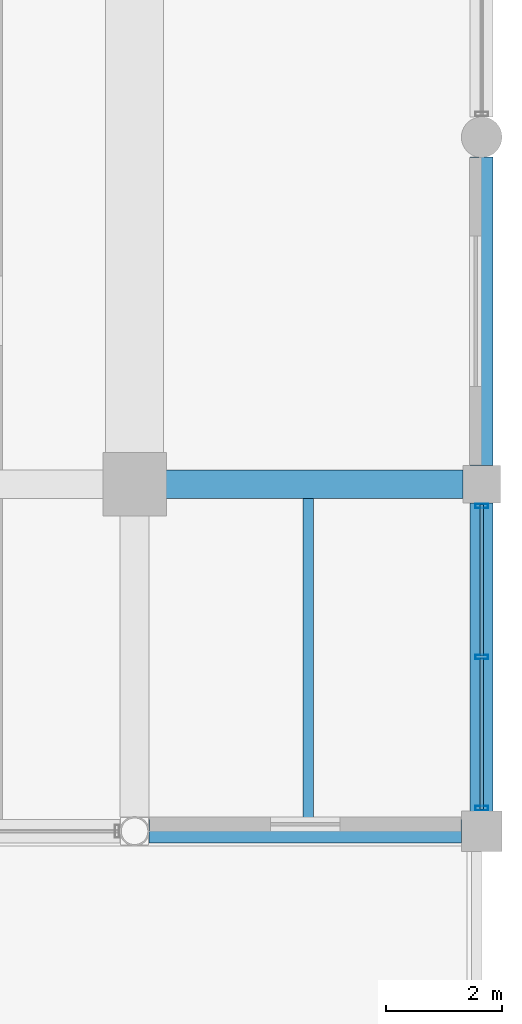
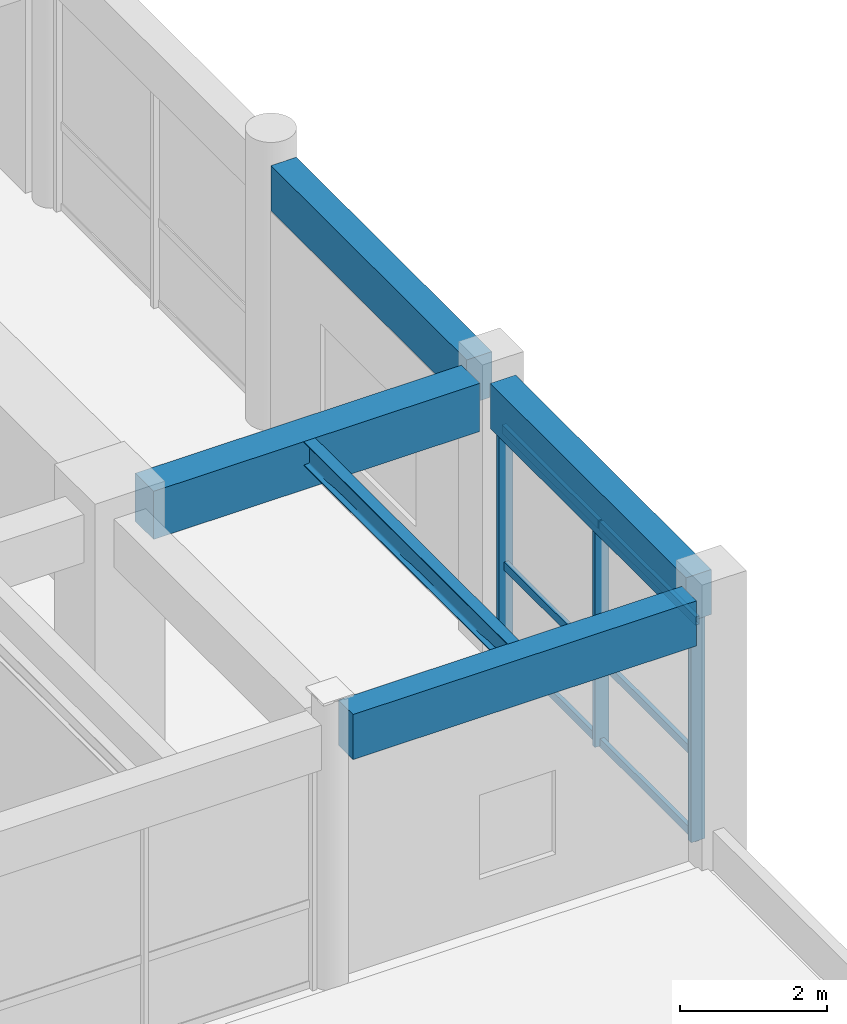
# One storey, part 69 of 123: 9 members, 5 beams, 1 element without a shape of its own.
"""IFC4 building model written with IfcOpenShell, lengths in metres."""

import ifcopenshell
import ifcopenshell.guid

model = None  # the IFC model being written
_history = None  # IfcOwnerHistory: only IFC2X3 demands one
_inside = {}  # id of a spatial element -> (the spatial element, [elements in it])
_under = {}  # id of a project, library or spatial element -> (it, [spatial elements below it])
_declared = {}  # id of a project -> (the project, [libraries it declares])
_typed = {}  # id of a type object -> (the type object, [elements of that type])
_made_of = {}  # id of a material, layer set ... -> (it, [elements and type objects made of it])


def new_model(schema):
    """Start an empty IFC model of exactly this schema.

    Asked for "IFC4X3", IfcOpenShell would pick the latest addendum, in which some entities
    have other attributes; the version numbers below select the first issue.
    IFC2X3 requires an IfcOwnerHistory on every rooted entity: one is made here for all.
    """
    global model, _history
    if schema == "IFC4X3":
        model = ifcopenshell.file(schema_version=(4, 3, 0, 0))
    else:
        model = ifcopenshell.file(schema=schema)
    _inside.clear()
    _under.clear()
    _declared.clear()
    _typed.clear()
    _made_of.clear()
    _history = None
    if model.schema == "IFC2X3":
        org = make("IfcOrganization", Name="unknown")
        user = make(
            "IfcPersonAndOrganization",
            ThePerson=make("IfcPerson", FamilyName="unknown"),
            TheOrganization=org,
        )
        app = make(
            "IfcApplication",
            ApplicationDeveloper=org,
            Version="unknown",
            ApplicationFullName="unknown",
            ApplicationIdentifier="unknown",
        )
        _history = make(
            "IfcOwnerHistory",
            OwningUser=user,
            OwningApplication=app,
            ChangeAction="ADDED",
            CreationDate=0,
        )
    return model


def make(cls, **values):
    """One entity of the class cls with the attributes given. An attribute that is None is left unset."""
    return model.create_entity(
        cls, **{name: value for name, value in values.items() if value is not None}
    )


def rooted(cls, **values):
    """An entity with a GlobalId (a new one), such as an element, a storey or a relation."""
    return make(cls, GlobalId=ifcopenshell.guid.new(), OwnerHistory=_history, **values)


def si_unit(unit_type, name, prefix=None):
    """IfcSIUnit, for example si_unit("LENGTHUNIT", "METRE", prefix="MILLI")."""
    return make("IfcSIUnit", UnitType=unit_type, Prefix=prefix, Name=name)


def assignment(units):
    """IfcUnitAssignment: the units of a project."""
    return None if units is None else make("IfcUnitAssignment", Units=units)


def point(xyz):
    """IfcCartesianPoint."""
    return None if xyz is None else make("IfcCartesianPoint", Coordinates=xyz)


def direction(xyz):
    """IfcDirection."""
    return None if xyz is None else make("IfcDirection", DirectionRatios=xyz)


def frame(location, z_axis=None, x_axis=None):
    """IfcAxis2Placement3D, a coordinate frame: its origin and axes. An axis left out is left unset."""
    return make(
        "IfcAxis2Placement3D",
        Location=point(location),
        Axis=direction(z_axis),
        RefDirection=direction(x_axis),
    )


def frame_2d(location, x_axis=None):
    """IfcAxis2Placement2D, a coordinate frame in the plane: its origin and x axis."""
    return make(
        "IfcAxis2Placement2D", Location=point(location), RefDirection=direction(x_axis)
    )


def origin():
    """The frame at (0, 0, 0) with its axes left unset."""
    return frame((0.0, 0.0, 0.0))


def origin_2d():
    """The frame at (0, 0) in the plane with its x axis left unset."""
    return frame_2d((0.0, 0.0))


def place(relative_to, where):
    """IfcLocalPlacement: puts the frame where relative to a parent placement (None: the world)."""
    return make(
        "IfcLocalPlacement", PlacementRelTo=relative_to, RelativePlacement=where
    )


def context(
    kind, dimensions, precision=None, world=None, true_north=None, identifier=None
):
    """IfcGeometricRepresentationContext, for example the 3D "Model" context."""
    return make(
        "IfcGeometricRepresentationContext",
        ContextIdentifier=identifier,
        ContextType=kind,
        CoordinateSpaceDimension=dimensions,
        Precision=precision,
        WorldCoordinateSystem=world,
        TrueNorth=true_north,
    )


def subcontext(parent, identifier, kind, view, scale=None):
    """IfcGeometricRepresentationSubContext, for example "Body" below "Model"."""
    return make(
        "IfcGeometricRepresentationSubContext",
        ContextIdentifier=identifier,
        ContextType=kind,
        ParentContext=parent,
        TargetScale=scale,
        TargetView=view,
    )


def project(units=None, contexts=None):
    """IfcProject with its units and contexts."""
    return rooted(
        "IfcProject",
        Name="project",
        RepresentationContexts=contexts,
        UnitsInContext=assignment(units),
    )


def spatial(cls, under=None, at=None, **own):
    """A site, building, storey or space (cls), placed at a placement, below another one or the project."""
    s = rooted(cls, ObjectPlacement=at, **own)
    if under is not None:
        _under.setdefault(under.id(), (under, []))[1].append(s)
    return s


def profile(cls, at=None, kind="AREA", **sizes):
    """A parametric profile (cls). Its sizes go by their IFC names, for example OverallWidth=200.0."""
    return make(cls, ProfileType=kind, Position=at, **sizes)


def rectangle(**sizes):
    """IfcRectangleProfileDef."""
    return profile("IfcRectangleProfileDef", **sizes)


def hollow_rectangle(**sizes):
    """IfcRectangleHollowProfileDef."""
    return profile("IfcRectangleHollowProfileDef", **sizes)


def i_section(**sizes):
    """IfcIShapeProfileDef."""
    return profile("IfcIShapeProfileDef", **sizes)


def extrude(swept, where, along, depth):
    """IfcExtrudedAreaSolid: the profile swept, set in the frame where, extruded along a direction by depth."""
    return make(
        "IfcExtrudedAreaSolid",
        SweptArea=swept,
        Position=where,
        ExtrudedDirection=direction(along),
        Depth=depth,
    )


def shape(context_of_items, identifier, shape_type, items):
    """IfcShapeRepresentation: the items that make up one representation, for example the "Body"."""
    return make(
        "IfcShapeRepresentation",
        ContextOfItems=context_of_items,
        RepresentationIdentifier=identifier,
        RepresentationType=shape_type,
        Items=items,
    )


def material(Name=None, Category=None):
    """IfcMaterial."""
    return make("IfcMaterial", Name=Name, Category=Category)


def material_profile(
    of_material, cross_section, Name=None, Category=None, Priority=None
):
    """IfcMaterialProfile: a cross section and its material."""
    return make(
        "IfcMaterialProfile",
        Name=Name,
        Material=of_material,
        Profile=cross_section,
        Priority=Priority,
        Category=Category,
    )


def profile_set(profiles, Name=None, composite=None):
    """IfcMaterialProfileSet."""
    return make(
        "IfcMaterialProfileSet",
        Name=Name,
        MaterialProfiles=profiles,
        CompositeProfile=composite,
    )


def made_of(thing, what):
    """Note that an element or type object is made of a material, layer set ...; save() writes the relation."""
    if what is not None:
        _made_of.setdefault(what.id(), (what, []))[1].append(thing)
    return thing


def type_object(cls, material=None, **own):
    """A type object (cls), such as IfcWallType, which elements share."""
    return made_of(rooted(cls, **own), material)


def element(
    cls,
    number,
    at=None,
    inside=None,
    cuts=None,
    type_object=None,
    material=None,
    context=None,
    identifier="Body",
    shape_type=None,
    held_by="IfcProductDefinitionShape",
    body=None,
    shapes=None,
    **own,
):
    """One element of the class cls, such as IfcWall. Its Tag is "e" and its number.

    at: its placement. inside: the storey or other place that contains it. cuts: it is an
    opening in that element (IfcRelVoidsElement). A single representation is given by context,
    identifier, shape_type and body (its items); several are given by shapes. held_by: the class
    of the entity that holds the representations. save() writes the other relations.
    """
    e = rooted(cls, Tag="e%d" % number, ObjectPlacement=at, **own)
    if body is not None:
        shapes = [shape(context, identifier, shape_type, body)]
    if shapes is not None:
        e.Representation = make(held_by, Representations=shapes)
    if inside is not None:
        _inside.setdefault(inside.id(), (inside, []))[1].append(e)
    if cuts is not None:
        rooted(
            "IfcRelVoidsElement", RelatingBuildingElement=cuts, RelatedOpeningElement=e
        )
    if type_object is not None:
        _typed.setdefault(type_object.id(), (type_object, []))[1].append(e)
    return made_of(e, material)


def aggregate(whole, parts):
    """IfcRelAggregates: a whole, such as a stair, and the parts it consists of."""
    return rooted("IfcRelAggregates", RelatingObject=whole, RelatedObjects=parts)


def save(model, path):
    """Write the relations noted so far, then the file.

    IfcRelAggregates (storeys below a building ...), IfcRelContainedInSpatialStructure (elements
    in a storey), IfcRelDefinesByType, IfcRelAssociatesMaterial and IfcRelDeclares: one each for
    every whole, place, type object, material and project.
    """
    for whole, parts in _under.values():
        aggregate(whole, parts)
    for where, things in _inside.values():
        rooted(
            "IfcRelContainedInSpatialStructure",
            RelatedElements=things,
            RelatingStructure=where,
        )
    for kind, things in _typed.values():
        rooted("IfcRelDefinesByType", RelatedObjects=things, RelatingType=kind)
    for what, things in _made_of.values():
        rooted("IfcRelAssociatesMaterial", RelatedObjects=things, RelatingMaterial=what)
    for by, libraries in _declared.values():
        rooted("IfcRelDeclares", RelatingContext=by, RelatedDefinitions=libraries)
    model.write(path)


model = new_model("IFC4")

# Units and contexts
model_context = context("Model", 3, precision=1e-05, world=origin(), true_north=direction((0.0, 1.0)))
body_context = subcontext(model_context, "Body", "Model", "MODEL_VIEW")
ifc_project = project(units=[si_unit("LENGTHUNIT", "METRE"), si_unit("AREAUNIT", "SQUARE_METRE"), si_unit("VOLUMEUNIT", "CUBIC_METRE"), si_unit("PLANEANGLEUNIT", "RADIAN"), si_unit("MASSUNIT", "GRAM", prefix="KILO"), si_unit("THERMODYNAMICTEMPERATUREUNIT", "KELVIN"), si_unit("POWERUNIT", "WATT")], contexts=[model_context])

# Site, building, storey
site_placement = place(None, origin())
site = spatial("IfcSite", under=ifc_project, at=site_placement, CompositionType="ELEMENT")
building_placement = place(site_placement, origin())
building = spatial("IfcBuilding", under=site, at=building_placement, Name="Phaisarnlok Congress Hotel", CompositionType="ELEMENT")
storey_placement = place(building_placement, frame((0.0, 0.0, 15.0)))
storey = spatial("IfcBuildingStorey", under=building, at=storey_placement, Name="L03", CompositionType="ELEMENT", Elevation=15.0)

# Beam
ifc_material_1 = material(Name="Concrete C40/50", Category="concrete")
ifc_material_profile_1 = material_profile(ifc_material_1, rectangle(XDim=0.5, YDim=0.800048828125, at=origin_2d()), Name="RC 500x800")
ifc_profile_set_1 = profile_set([ifc_material_profile_1], Name="Concrete C40/50")
beam_type_1 = type_object("IfcBeamType", Name="BM-RC-500x800", PredefinedType="BEAM", material=ifc_profile_set_1)
beam_1_placement = place(storey_placement, frame((174.544921875, 42.0, 4.050048828125), z_axis=(1.0, 0.0, 0.0), x_axis=(0.0, 1.0, 0.0)))
element("IfcBeam", 1, at=beam_1_placement, inside=storey, type_object=beam_type_1, Name="Beam B-04", PredefinedType="BEAM", context=body_context, shape_type="SweptSolid", body=[
    extrude(rectangle(XDim=0.5, YDim=0.800048828125, at=origin_2d()), origin(), (0.0, 0.0, 1.0), 5.135009765625),
])

# Curtain wall, members
ifc_material_2 = material(Name="Thermally Broken Unitised Aluminium & Low-E Glazing", Category="aluminium")
curtain_wall_type = type_object("IfcCurtainWallType", Name="CW-UNIT-30", PredefinedType="NOTDEFINED", material=ifc_material_2)
curtain_wall_placement = place(storey_placement, origin())
curtain_wall = element("IfcCurtainWall", 2, at=curtain_wall_placement, inside=storey, type_object=curtain_wall_type, Name="Unitised curtain wall CW-30 (L03)", PredefinedType="NOTDEFINED")
ifc_material_3 = material(Name="Anodised Aluminium Alloy 6063-T6", Category="aluminium")
ifc_material_profile_2 = material_profile(ifc_material_3, hollow_rectangle(XDim=0.074951171875, YDim=0.219970703125, WallThickness=0.0048828125, at=origin_2d()), Name="ALU-M 75x220x5")
ifc_profile_set_2 = profile_set([ifc_material_profile_2], Name="Anodised Aluminium Alloy 6063-T6")
member_type_1 = type_object("IfcMemberType", Name="CWM-220", PredefinedType="MULLION", material=ifc_profile_set_2)
member_1_placement = place(storey_placement, frame((180.0, 36.39990234375, 0.0), z_axis=(0.0, 0.0, 1.0), x_axis=(0.0, 1.0, 0.0)))
member_1 = element("IfcMember", 3, at=member_1_placement, type_object=member_type_1, Name="Curtain wall mullion CWM-02", PredefinedType="MULLION", context=body_context, shape_type="SweptSolid", body=[
    extrude(hollow_rectangle(XDim=0.074951171875, YDim=0.219970703125, WallThickness=0.0048828125, at=origin_2d()), origin(), (0.0, 0.0, 1.0), 3.699951171875),
])
member_2_placement = place(storey_placement, frame((180.0, 39.012451171875, 0.0), z_axis=(0.0, 0.0, 1.0), x_axis=(0.0, 1.0, 0.0)))
member_2 = element("IfcMember", 4, at=member_2_placement, type_object=member_type_1, Name="Curtain wall mullion CWM-02", PredefinedType="MULLION", context=body_context, shape_type="SweptSolid", body=[
    extrude(hollow_rectangle(XDim=0.074951171875, YDim=0.219970703125, WallThickness=0.0048828125, at=origin_2d()), origin(), (0.0, 0.0, 1.0), 3.699951171875),
])
member_3_placement = place(storey_placement, frame((180.0, 41.625, 0.0), z_axis=(0.0, 0.0, 1.0), x_axis=(0.0, 1.0, 0.0)))
member_3 = element("IfcMember", 5, at=member_3_placement, type_object=member_type_1, Name="Curtain wall mullion CWM-02", PredefinedType="MULLION", context=body_context, shape_type="SweptSolid", body=[
    extrude(hollow_rectangle(XDim=0.074951171875, YDim=0.219970703125, WallThickness=0.0048828125, at=origin_2d()), origin(), (0.0, 0.0, 1.0), 3.699951171875),
])
ifc_material_profile_3 = material_profile(ifc_material_3, hollow_rectangle(XDim=0.06494140625, YDim=0.139892578125, WallThickness=0.00390625, at=origin_2d()), Name="ALU-T 65x140x4")
ifc_profile_set_3 = profile_set([ifc_material_profile_3], Name="Anodised Aluminium Alloy 6063-T6")
member_type_2 = type_object("IfcMemberType", Name="CWT-150", PredefinedType="USERDEFINED", material=ifc_profile_set_3)
member_4_placement = place(storey_placement, frame((180.0, 36.375, 0.050048828125), z_axis=(0.0, 1.0, 0.0), x_axis=(-1.0, 0.0, 0.0)))
member_4 = element("IfcMember", 6, at=member_4_placement, type_object=member_type_2, Name="Curtain wall transom CWT-01", ObjectType="TRANSOM", PredefinedType="USERDEFINED", context=body_context, shape_type="SweptSolid", body=[
    extrude(hollow_rectangle(XDim=0.06494140625, YDim=0.139892578125, WallThickness=0.00390625, at=origin_2d()), origin(), (0.0, 0.0, 1.0), 2.62255859375),
])
member_5_placement = place(storey_placement, frame((180.0, 36.375, 1.406005859375), z_axis=(0.0, 1.0, 0.0), x_axis=(-1.0, 0.0, 0.0)))
member_5 = element("IfcMember", 7, at=member_5_placement, type_object=member_type_2, Name="Curtain wall transom CWT-01", ObjectType="TRANSOM", PredefinedType="USERDEFINED", context=body_context, shape_type="SweptSolid", body=[
    extrude(hollow_rectangle(XDim=0.06494140625, YDim=0.139892578125, WallThickness=0.00390625, at=origin_2d()), origin(), (0.0, 0.0, 1.0), 2.62255859375),
])
member_6_placement = place(storey_placement, frame((180.0, 36.375, 3.64990234375), z_axis=(0.0, 1.0, 0.0), x_axis=(-1.0, 0.0, 0.0)))
member_6 = element("IfcMember", 8, at=member_6_placement, type_object=member_type_2, Name="Curtain wall transom CWT-01", ObjectType="TRANSOM", PredefinedType="USERDEFINED", context=body_context, shape_type="SweptSolid", body=[
    extrude(hollow_rectangle(XDim=0.06494140625, YDim=0.139892578125, WallThickness=0.00390625, at=origin_2d()), origin(), (0.0, 0.0, 1.0), 2.62255859375),
])
member_7_placement = place(storey_placement, frame((180.0, 39.027587890625, 0.050048828125), z_axis=(0.0, 1.0, 0.0), x_axis=(-1.0, 0.0, 0.0)))
member_7 = element("IfcMember", 9, at=member_7_placement, type_object=member_type_2, Name="Curtain wall transom CWT-01", ObjectType="TRANSOM", PredefinedType="USERDEFINED", context=body_context, shape_type="SweptSolid", body=[
    extrude(hollow_rectangle(XDim=0.06494140625, YDim=0.139892578125, WallThickness=0.00390625, at=origin_2d()), origin(), (0.0, 0.0, 1.0), 2.622314453125),
])
member_8_placement = place(storey_placement, frame((180.0, 39.027587890625, 1.406005859375), z_axis=(0.0, 1.0, 0.0), x_axis=(-1.0, 0.0, 0.0)))
member_8 = element("IfcMember", 10, at=member_8_placement, type_object=member_type_2, Name="Curtain wall transom CWT-01", ObjectType="TRANSOM", PredefinedType="USERDEFINED", context=body_context, shape_type="SweptSolid", body=[
    extrude(hollow_rectangle(XDim=0.06494140625, YDim=0.139892578125, WallThickness=0.00390625, at=origin_2d()), origin(), (0.0, 0.0, 1.0), 2.622314453125),
])
member_9_placement = place(storey_placement, frame((180.0, 39.027587890625, 3.64990234375), z_axis=(0.0, 1.0, 0.0), x_axis=(-1.0, 0.0, 0.0)))
member_9 = element("IfcMember", 11, at=member_9_placement, type_object=member_type_2, Name="Curtain wall transom CWT-01", ObjectType="TRANSOM", PredefinedType="USERDEFINED", context=body_context, shape_type="SweptSolid", body=[
    extrude(hollow_rectangle(XDim=0.06494140625, YDim=0.139892578125, WallThickness=0.00390625, at=origin_2d()), origin(), (0.0, 0.0, 1.0), 2.622314453125),
])
aggregate(curtain_wall, [member_1, member_2, member_3, member_4, member_5, member_6, member_7, member_8, member_9])

# Beams
ifc_material_4 = material(Name="Steel S355", Category="steel")
ifc_material_profile_4 = material_profile(ifc_material_4, i_section(OverallWidth=0.179931640625, OverallDepth=0.39990234375, WebThickness=0.008544921875, FlangeThickness=0.013427734375, FilletRadius=0.02099609375, at=origin_2d()), Name="IPE 400")
ifc_profile_set_4 = profile_set([ifc_material_profile_4], Name="Steel S355")
beam_type_2 = type_object("IfcBeamType", Name="JS-STL-IPE400", PredefinedType="JOIST", material=ifc_profile_set_4)
beam_2_placement = place(storey_placement, frame((177.0, 36.195068359375, 4.25), z_axis=(0.0, 1.0, 0.0), x_axis=(-1.0, 0.0, 0.0)))
element("IfcBeam", 12, at=beam_2_placement, inside=storey, type_object=beam_type_2, Name="Secondary floor joist J-05", PredefinedType="JOIST", context=body_context, shape_type="SweptSolid", body=[
    extrude(i_section(OverallWidth=0.179931640625, OverallDepth=0.39990234375, WebThickness=0.008544921875, FlangeThickness=0.013427734375, FilletRadius=0.02099609375, at=origin_2d()), origin(), (0.0, 0.0, 1.0), 5.559814453125),
])
ifc_material_profile_5 = material_profile(ifc_material_1, rectangle(XDim=0.39990234375, YDim=0.75, at=origin_2d()), Name="RC 400x750")
ifc_profile_set_5 = profile_set([ifc_material_profile_5], Name="Concrete C40/50")
beam_type_3 = type_object("IfcBeamType", Name="SP-RC-400x750", PredefinedType="SPANDREL", material=ifc_profile_set_5)
beam_3_placement = place(storey_placement, frame((174.2490234375, 36.0, 4.074951171875), z_axis=(1.0, 0.0, 0.0), x_axis=(0.0, 1.0, 0.0)))
element("IfcBeam", 13, at=beam_3_placement, inside=storey, type_object=beam_type_3, Name="Beam SP-02", PredefinedType="SPANDREL", context=body_context, shape_type="SweptSolid", body=[
    extrude(rectangle(XDim=0.39990234375, YDim=0.75, at=origin_2d()), origin(), (0.0, 0.0, 1.0), 5.406005859375),
])
for number, where, z_axis, x_axis, name in (
    (14, (180.0, 36.344970703125, 4.074951171875), (0.0, 1.0, 0.0), (-1.0, 0.0, 0.0), "Beam SP-02"),
    (15, (180.0, 42.320068359375, 4.074951171875), (0.0, 1.0, 0.0), (-1.0, 0.0, 0.0), "Beam SP-02"),
):
    element("IfcBeam", number, at=place(storey_placement, frame(where, z_axis=z_axis, x_axis=x_axis)), inside=storey, type_object=beam_type_3, Name=name, PredefinedType="SPANDREL", context=body_context, shape_type="SweptSolid", body=[
        extrude(rectangle(XDim=0.39990234375, YDim=0.75, at=origin_2d()), origin(), (0.0, 0.0, 1.0), 5.3349609375),
    ])

save(model, "model.ifc")
